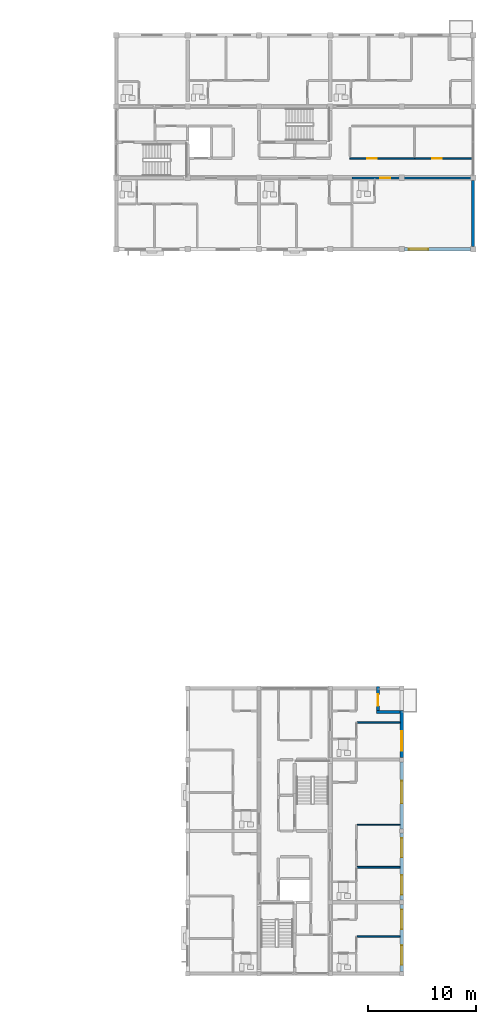
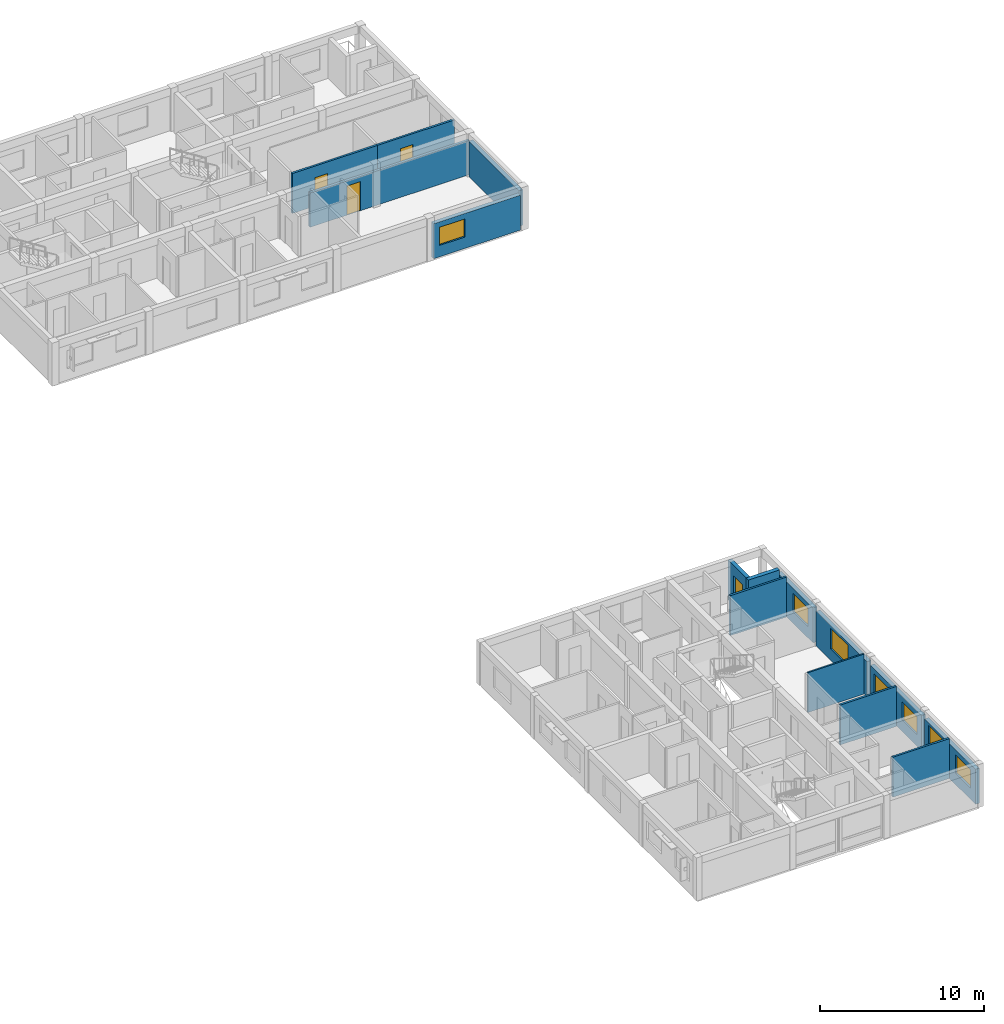
# One storey, part 37 of 49: 15 walls, 7 windows, 4 doors, 11 openings.
"""IFC4 building model written with IfcOpenShell, lengths in metres."""

from ifc_helpers import new_model, si_unit, direction, frame, frame_2d, origin, place, context, subcontext, project, spatial, rectangle, extrude, material, layer, layer_set, type_object, element, fill, save


model = new_model("IFC4")

# Units and contexts
model_context = context("Model", 3, precision=1e-05, world=origin(), true_north=direction((0.0, 1.0)))
body_context = subcontext(model_context, "Body", "Model", "MODEL_VIEW")
ifc_project = project(units=[si_unit("LENGTHUNIT", "METRE"), si_unit("AREAUNIT", "SQUARE_METRE"), si_unit("VOLUMEUNIT", "CUBIC_METRE"), si_unit("PLANEANGLEUNIT", "RADIAN"), si_unit("MASSUNIT", "GRAM", prefix="KILO")], contexts=[model_context])

# Site, building, storey
site_placement = place(None, origin())
site = spatial("IfcSite", under=ifc_project, at=site_placement, CompositionType="ELEMENT")
building_placement = place(site_placement, origin())
building = spatial("IfcBuilding", under=site, at=building_placement, Name="Kernevlak Ridge Housing Community", CompositionType="ELEMENT")
storey_placement = place(building_placement, frame((0.0, 0.0, 30.800048828125)))
storey = spatial("IfcBuildingStorey", under=building, at=storey_placement, Name="L09", CompositionType="ELEMENT", Elevation=30.800048828125)

# Wall, opening, window
ifc_material_1 = material(Name="Concrete block masonry M10", Category="masonry")
ifc_layer_1 = layer(ifc_material_1, 0.280029296875, Name="Concrete block masonry M10")
ifc_layer_set_1 = layer_set([ifc_layer_1], Name="Concrete block masonry M10")
wall_type_1 = type_object("IfcWallType", Name="EW-03", PredefinedType="STANDARD", material=ifc_layer_set_1)
wall_1_placement = place(storey_placement, frame((146.050048828125, 82.60009765625, 0.0), z_axis=(0.0, 0.0, 1.0), x_axis=(1.0, 0.0, 0.0)))
wall_1 = element("IfcWall", 1, at=wall_1_placement, inside=storey, type_object=wall_type_1, Name="Exterior wall EW-03 L09 439", PredefinedType="STANDARD", context=body_context, shape_type="SweptSolid", body=[
    extrude(rectangle(XDim=6.099853515625, YDim=0.280029296875, at=frame_2d((3.0498046875, 0.0))), origin(), (0.0, 0.0, 1.0), 2.599853515625),
])
opening_1_placement = place(wall_1_placement, frame((0.39990234375, 0.0, 0.85009765625)))
opening_1 = element("IfcOpeningElement", 2, at=opening_1_placement, cuts=wall_1, Name="Opening WT-03", PredefinedType="OPENING", context=body_context, shape_type="SweptSolid", body=[
    extrude(rectangle(XDim=1.800048828125, YDim=1.35009765625, at=frame_2d((0.89990234375, 0.675048828125))), frame((0.0, 0.14990234375, 0.0), z_axis=(0.0, -1.0, 0.0), x_axis=(1.0, 0.0, 0.0)), (0.0, 0.0, 1.0), 0.300048828125),
])
ifc_material_2 = material(Name="Aluminium EN AW-6060 anodised and laminated glass", Category="aluminium")
window_type_1 = type_object("IfcWindowType", Name="WT-03", PartitioningType="SINGLE_PANEL", PredefinedType="WINDOW", material=ifc_material_2)
window_1_placement = place(opening_1_placement, origin())
window_1 = element("IfcWindow", 3, at=window_1_placement, inside=storey, type_object=window_type_1, Name="Window WT-03 L09 340", OverallHeight=1.35009765625, OverallWidth=1.800048828125, PartitioningType="SINGLE_PANEL", PredefinedType="WINDOW", context=body_context, shape_type="SweptSolid", body=[
    extrude(rectangle(XDim=1.800048828125, YDim=1.35009765625, at=frame_2d((0.89990234375, 0.675048828125))), frame((0.0, 0.030029296875, 0.0), z_axis=(0.0, -1.0, 0.0), x_axis=(1.0, 0.0, 0.0)), (0.0, 0.0, 1.0), 0.06005859375),
])
fill(opening_1, window_1)

# Wall
wall_2_placement = place(storey_placement, frame((152.39990234375, 82.85009765625, 0.0), z_axis=(0.0, 0.0, 1.0), x_axis=(0.0, 1.0, 0.0)))
element("IfcWall", 4, at=wall_2_placement, inside=storey, type_object=wall_type_1, Name="Exterior wall EW-03 L09 449", PredefinedType="STANDARD", context=body_context, shape_type="SweptSolid", body=[
    extrude(rectangle(XDim=6.099853515625, YDim=0.280029296875, at=frame_2d((3.0498046875, 0.0))), origin(), (0.0, 0.0, 1.0), 2.64990234375),
])

# Wall, openings, windows
wall_3_placement = place(storey_placement, frame((145.800048828125, 15.800048828125, 0.0), z_axis=(0.0, 0.0, 1.0), x_axis=(0.0, 1.0, 0.0)))
wall_3 = element("IfcWall", 5, at=wall_3_placement, inside=storey, type_object=wall_type_1, Name="Exterior wall EW-03 L09 660", PredefinedType="STANDARD", context=body_context, shape_type="SweptSolid", body=[
    extrude(rectangle(XDim=6.199951171875, YDim=0.280029296875, at=frame_2d((3.10009765625, 0.0))), origin(), (0.0, 0.0, 1.0), 2.599853515625),
])
opening_2_placement = place(wall_3_placement, frame((0.625, 0.0, 0.85009765625)))
opening_2 = element("IfcOpeningElement", 6, at=opening_2_placement, cuts=wall_3, Name="Opening WT-03", PredefinedType="OPENING", context=body_context, shape_type="SweptSolid", body=[
    extrude(rectangle(XDim=1.800048828125, YDim=1.35009765625, at=frame_2d((0.89990234375, 0.675048828125))), frame((0.0, 0.14990234375, 0.0), z_axis=(0.0, -1.0, 0.0), x_axis=(1.0, 0.0, 0.0)), (0.0, 0.0, 1.0), 0.300048828125),
])
opening_3_placement = place(wall_3_placement, frame((3.925048828125, 0.0, 0.85009765625)))
opening_3 = element("IfcOpeningElement", 7, at=opening_3_placement, cuts=wall_3, Name="Opening WT-04", PredefinedType="OPENING", context=body_context, shape_type="SweptSolid", body=[
    extrude(rectangle(XDim=1.800048828125, YDim=1.550048828125, at=frame_2d((0.89990234375, 0.77490234375))), frame((0.0, 0.14990234375, 0.0), z_axis=(0.0, -1.0, 0.0), x_axis=(1.0, 0.0, 0.0)), (0.0, 0.0, 1.0), 0.300048828125),
])
window_2_placement = place(opening_2_placement, origin())
window_2 = element("IfcWindow", 8, at=window_2_placement, inside=storey, type_object=window_type_1, Name="Window WT-03 L09 538", OverallHeight=1.35009765625, OverallWidth=1.800048828125, PartitioningType="SINGLE_PANEL", PredefinedType="WINDOW", context=body_context, shape_type="SweptSolid", body=[
    extrude(rectangle(XDim=1.800048828125, YDim=1.35009765625, at=frame_2d((0.89990234375, 0.675048828125))), frame((0.0, 0.030029296875, 0.0), z_axis=(0.0, -1.0, 0.0), x_axis=(1.0, 0.0, 0.0)), (0.0, 0.0, 1.0), 0.06005859375),
])
fill(opening_2, window_2)
window_type_2 = type_object("IfcWindowType", Name="WT-04", PartitioningType="SINGLE_PANEL", PredefinedType="WINDOW", material=ifc_material_2)
window_3_placement = place(opening_3_placement, origin())
window_3 = element("IfcWindow", 9, at=window_3_placement, inside=storey, type_object=window_type_2, Name="Window WT-04 L09 539", OverallHeight=1.550048828125, OverallWidth=1.800048828125, PartitioningType="SINGLE_PANEL", PredefinedType="WINDOW", context=body_context, shape_type="SweptSolid", body=[
    extrude(rectangle(XDim=1.800048828125, YDim=1.550048828125, at=frame_2d((0.89990234375, 0.77490234375))), frame((0.0, 0.030029296875, 0.0), z_axis=(0.0, -1.0, 0.0), x_axis=(1.0, 0.0, 0.0)), (0.0, 0.0, 1.0), 0.06005859375),
])
fill(opening_3, window_3)

wall_4_placement = place(storey_placement, frame((145.800048828125, 22.39990234375, 0.0), z_axis=(0.0, 0.0, 1.0), x_axis=(0.0, 1.0, 0.0)))
wall_4 = element("IfcWall", 10, at=wall_4_placement, inside=storey, type_object=wall_type_1, Name="Exterior wall EW-03 L09 661", PredefinedType="STANDARD", context=body_context, shape_type="SweptSolid", body=[
    extrude(rectangle(XDim=6.2001953125, YDim=0.280029296875, at=frame_2d((3.10009765625, 0.0))), origin(), (0.0, 0.0, 1.0), 2.599853515625),
])
opening_4_placement = place(wall_4_placement, frame((0.52490234375, 0.0, 0.85009765625)))
opening_4 = element("IfcOpeningElement", 11, at=opening_4_placement, cuts=wall_4, Name="Opening WT-03", PredefinedType="OPENING", context=body_context, shape_type="SweptSolid", body=[
    extrude(rectangle(XDim=1.800048828125, YDim=1.35009765625, at=frame_2d((0.89990234375, 0.675048828125))), frame((0.0, 0.14990234375, 0.0), z_axis=(0.0, -1.0, 0.0), x_axis=(1.0, 0.0, 0.0)), (0.0, 0.0, 1.0), 0.300048828125),
])
opening_5_placement = place(wall_4_placement, frame((3.949951171875, 0.0, 0.85009765625)))
opening_5 = element("IfcOpeningElement", 12, at=opening_5_placement, cuts=wall_4, Name="Opening WT-03", PredefinedType="OPENING", context=body_context, shape_type="SweptSolid", body=[
    extrude(rectangle(XDim=1.800048828125, YDim=1.35009765625, at=frame_2d((0.89990234375, 0.675048828125))), frame((0.0, 0.14990234375, 0.0), z_axis=(0.0, -1.0, 0.0), x_axis=(1.0, 0.0, 0.0)), (0.0, 0.0, 1.0), 0.300048828125),
])
window_4_placement = place(opening_4_placement, origin())
window_4 = element("IfcWindow", 13, at=window_4_placement, inside=storey, type_object=window_type_1, Name="Window WT-03 L09 540", OverallHeight=1.35009765625, OverallWidth=1.800048828125, PartitioningType="SINGLE_PANEL", PredefinedType="WINDOW", context=body_context, shape_type="SweptSolid", body=[
    extrude(rectangle(XDim=1.800048828125, YDim=1.35009765625, at=frame_2d((0.89990234375, 0.675048828125))), frame((0.0, 0.030029296875, 0.0), z_axis=(0.0, -1.0, 0.0), x_axis=(1.0, 0.0, 0.0)), (0.0, 0.0, 1.0), 0.06005859375),
])
fill(opening_4, window_4)
window_5_placement = place(opening_5_placement, origin())
window_5 = element("IfcWindow", 14, at=window_5_placement, inside=storey, type_object=window_type_1, Name="Window WT-03 L09 541", OverallHeight=1.35009765625, OverallWidth=1.800048828125, PartitioningType="SINGLE_PANEL", PredefinedType="WINDOW", context=body_context, shape_type="SweptSolid", body=[
    extrude(rectangle(XDim=1.800048828125, YDim=1.35009765625, at=frame_2d((0.89990234375, 0.675048828125))), frame((0.0, 0.030029296875, 0.0), z_axis=(0.0, -1.0, 0.0), x_axis=(1.0, 0.0, 0.0)), (0.0, 0.0, 1.0), 0.06005859375),
])
fill(opening_5, window_5)

# Wall, opening, window
wall_5_placement = place(storey_placement, frame((145.800048828125, 29.0, 0.0), z_axis=(0.0, 0.0, 1.0), x_axis=(0.0, 1.0, 0.0)))
wall_5 = element("IfcWall", 15, at=wall_5_placement, inside=storey, type_object=wall_type_1, Name="Exterior wall EW-03 L09 662", PredefinedType="STANDARD", context=body_context, shape_type="SweptSolid", body=[
    extrude(rectangle(XDim=6.199951171875, YDim=0.280029296875, at=frame_2d((3.10009765625, 0.0))), origin(), (0.0, 0.0, 1.0), 2.599853515625),
])
opening_6_placement = place(wall_5_placement, frame((2.345947265625, 0.0, 0.85009765625)))
opening_6 = element("IfcOpeningElement", 16, at=opening_6_placement, cuts=wall_5, Name="Opening WT-05", PredefinedType="OPENING", context=body_context, shape_type="SweptSolid", body=[
    extrude(rectangle(XDim=2.10009765625, YDim=1.550048828125, at=frame_2d((1.050048828125, 0.77490234375))), frame((0.0, 0.14990234375, 0.0), z_axis=(0.0, -1.0, 0.0), x_axis=(1.0, 0.0, 0.0)), (0.0, 0.0, 1.0), 0.300048828125),
])
window_type_3 = type_object("IfcWindowType", Name="WT-05", PartitioningType="SINGLE_PANEL", PredefinedType="WINDOW", material=ifc_material_2)
window_6_placement = place(opening_6_placement, origin())
window_6 = element("IfcWindow", 17, at=window_6_placement, inside=storey, type_object=window_type_3, Name="Window WT-05 L09 542", OverallHeight=1.550048828125, OverallWidth=2.10009765625, PartitioningType="SINGLE_PANEL", PredefinedType="WINDOW", context=body_context, shape_type="SweptSolid", body=[
    extrude(rectangle(XDim=2.10009765625, YDim=1.550048828125, at=frame_2d((1.050048828125, 0.77490234375))), frame((0.0, 0.030029296875, 0.0), z_axis=(0.0, -1.0, 0.0), x_axis=(1.0, 0.0, 0.0)), (0.0, 0.0, 1.0), 0.06005859375),
])
fill(opening_6, window_6)

wall_6_placement = place(storey_placement, frame((145.800048828125, 35.60009765625, 0.0), z_axis=(0.0, 0.0, 1.0), x_axis=(0.0, 1.0, 0.0)))
wall_6 = element("IfcWall", 18, at=wall_6_placement, inside=storey, type_object=wall_type_1, Name="Exterior wall EW-03 L09 663", PredefinedType="STANDARD", context=body_context, shape_type="SweptSolid", body=[
    extrude(rectangle(XDim=4.33984375, YDim=0.280029296875, at=frame_2d((2.169921875, 0.0))), origin(), (0.0, 0.0, 1.0), 2.599853515625),
])
opening_7_placement = place(wall_6_placement, frame((0.625, 0.0, 0.85009765625)))
opening_7 = element("IfcOpeningElement", 19, at=opening_7_placement, cuts=wall_6, Name="Opening WT-03", PredefinedType="OPENING", context=body_context, shape_type="SweptSolid", body=[
    extrude(rectangle(XDim=1.800048828125, YDim=1.35009765625, at=frame_2d((0.89990234375, 0.675048828125))), frame((0.0, 0.14990234375, 0.0), z_axis=(0.0, -1.0, 0.0), x_axis=(1.0, 0.0, 0.0)), (0.0, 0.0, 1.0), 0.300048828125),
])
window_7_placement = place(opening_7_placement, origin())
window_7 = element("IfcWindow", 20, at=window_7_placement, inside=storey, type_object=window_type_1, Name="Window WT-03 L09 543", OverallHeight=1.35009765625, OverallWidth=1.800048828125, PartitioningType="SINGLE_PANEL", PredefinedType="WINDOW", context=body_context, shape_type="SweptSolid", body=[
    extrude(rectangle(XDim=1.800048828125, YDim=1.35009765625, at=frame_2d((0.89990234375, 0.675048828125))), frame((0.0, 0.030029296875, 0.0), z_axis=(0.0, -1.0, 0.0), x_axis=(1.0, 0.0, 0.0)), (0.0, 0.0, 1.0), 0.06005859375),
])
fill(opening_7, window_7)

# Wall
wall_7_placement = place(storey_placement, frame((145.659912109375, 39.800048828125, 0.0), z_axis=(0.0, 0.0, 1.0), x_axis=(-1.0, 0.0, 0.0)))
element("IfcWall", 21, at=wall_7_placement, inside=storey, type_object=wall_type_1, Name="Exterior wall EW-03 L09 664", PredefinedType="STANDARD", context=body_context, shape_type="SweptSolid", body=[
    extrude(rectangle(XDim=2.199951171875, YDim=0.280029296875, at=frame_2d((1.10009765625, 0.0))), origin(), (0.0, 0.0, 1.0), 2.969970703125),
])

# Wall, opening, door
wall_8_placement = place(storey_placement, frame((143.60009765625, 39.93994140625, 0.0), z_axis=(0.0, 0.0, 1.0), x_axis=(0.0, 1.0, 0.0)))
wall_8 = element("IfcWall", 22, at=wall_8_placement, inside=storey, type_object=wall_type_1, Name="Exterior wall EW-03 L09 665", PredefinedType="STANDARD", context=body_context, shape_type="SweptSolid", body=[
    extrude(rectangle(XDim=2.199951171875, YDim=0.280029296875, at=frame_2d((1.10009765625, 0.0))), origin(), (0.0, 0.0, 1.0), 2.969970703125),
])
opening_8_placement = place(wall_8_placement, frame((0.419921875, 0.0, 0.0)))
opening_8 = element("IfcOpeningElement", 23, at=opening_8_placement, cuts=wall_8, Name="Opening E384", PredefinedType="OPENING", context=body_context, shape_type="SweptSolid", body=[
    extrude(rectangle(XDim=1.080078125, YDim=2.219970703125, at=frame_2d((0.5400390625, 1.10986328125))), frame((0.0, 0.14990234375, 0.0), z_axis=(0.0, -1.0, 0.0), x_axis=(1.0, 0.0, 0.0)), (0.0, 0.0, 1.0), 0.300048828125),
])
ifc_material_3 = material(Name="Aluminium EN AW-6060 and laminated safety glass", Category="aluminium")
door_type_1 = type_object("IfcDoorType", Name="DT-34", OperationType="NOTDEFINED", PredefinedType="DOOR", material=ifc_material_3)
door_1_placement = place(opening_8_placement, origin())
door_1 = element("IfcDoor", 24, at=door_1_placement, inside=storey, type_object=door_type_1, Name="Flat C0923 corner balcony glazed door E384", OperationType="SINGLE_SWING_LEFT", OverallHeight=2.219970703125, OverallWidth=1.080078125, PredefinedType="DOOR", context=body_context, shape_type="SweptSolid", body=[
    extrude(rectangle(XDim=1.080078125, YDim=2.219970703125, at=frame_2d((0.5400390625, 1.10986328125))), frame((0.0, 0.02490234375, 0.0), z_axis=(0.0, -1.0, 0.0), x_axis=(1.0, 0.0, 0.0)), (0.0, 0.0, 1.0), 0.050048828125),
])
fill(opening_8, door_1)

ifc_layer_2 = layer(ifc_material_1, 0.175048828125, Name="Concrete block masonry M10")
ifc_layer_set_2 = layer_set([ifc_layer_2], Name="Concrete block masonry M10")
wall_type_2 = type_object("IfcWallType", Name="PW-02", PredefinedType="PARTITIONING", material=ifc_layer_set_2)
wall_9_placement = place(storey_placement, frame((141.199951171875, 89.199951171875, 0.0), z_axis=(0.0, 0.0, 1.0), x_axis=(1.0, 0.0, 0.0)))
wall_9 = element("IfcWall", 25, at=wall_9_placement, inside=storey, type_object=wall_type_2, Name="Interior wall PW-02 WAL-INT-L09-1740", PredefinedType="PARTITIONING", context=body_context, shape_type="SweptSolid", body=[
    extrude(rectangle(XDim=11.199951171875, YDim=0.175048828125, at=frame_2d((5.60009765625, 0.0))), origin(), (0.0, 0.0, 1.0), 2.550048828125),
])
opening_9_placement = place(wall_9_placement, frame((2.60009765625, 0.0, 0.0)))
opening_9 = element("IfcOpeningElement", 26, at=opening_9_placement, cuts=wall_9, Name="Opening D880", PredefinedType="OPENING", context=body_context, shape_type="SweptSolid", body=[
    extrude(rectangle(XDim=0.949951171875, YDim=2.159912109375, at=frame_2d((0.47509765625, 1.080078125))), frame((0.0, 0.097412109375, 0.0), z_axis=(0.0, -1.0, 0.0), x_axis=(1.0, 0.0, 0.0)), (0.0, 0.0, 1.0), 0.195068359375),
])
ifc_material_4 = material(Name="Hardwood timber solid-core fire leaf", Category="wood")
door_type_2 = type_object("IfcDoorType", Name="DT-02", OperationType="NOTDEFINED", PredefinedType="DOOR", material=ifc_material_4)
door_2_placement = place(opening_9_placement, origin())
door_2 = element("IfcDoor", 27, at=door_2_placement, inside=storey, type_object=door_type_2, Name="Flat B0913 entrance fire door D880", OperationType="SINGLE_SWING_RIGHT", OverallHeight=2.159912109375, OverallWidth=0.949951171875, PredefinedType="DOOR", context=body_context, shape_type="SweptSolid", body=[
    extrude(rectangle(XDim=0.949951171875, YDim=2.159912109375, at=frame_2d((0.47509765625, 1.080078125))), frame((0.0, 0.02490234375, 0.0), z_axis=(0.0, -1.0, 0.0), x_axis=(1.0, 0.0, 0.0)), (0.0, 0.0, 1.0), 0.050048828125),
])
fill(opening_9, door_2)

ifc_layer_3 = layer(ifc_material_1, 0.14501953125, Name="Concrete block masonry M10")
ifc_layer_set_3 = layer_set([ifc_layer_3], Name="Concrete block masonry M10")
wall_type_3 = type_object("IfcWallType", Name="PW-03", PredefinedType="PARTITIONING", material=ifc_layer_set_3)
wall_10_placement = place(storey_placement, frame((141.0, 91.0, 0.0), z_axis=(0.0, 0.0, 1.0), x_axis=(1.0, 0.0, 0.0)))
wall_10 = element("IfcWall", 28, at=wall_10_placement, inside=storey, type_object=wall_type_3, Name="Interior wall PW-03 WAL-INT-L09-1718", PredefinedType="PARTITIONING", context=body_context, shape_type="SweptSolid", body=[
    extrude(rectangle(XDim=6.0, YDim=0.14501953125, at=frame_2d((3.0, 0.0))), origin(), (0.0, 0.0, 1.0), 2.969970703125),
])
opening_10_placement = place(wall_10_placement, frame((1.60009765625, 0.0, 0.0)))
opening_10 = element("IfcOpeningElement", 29, at=opening_10_placement, cuts=wall_10, Name="Opening D869", PredefinedType="OPENING", context=body_context, shape_type="SweptSolid", body=[
    extrude(rectangle(XDim=0.8798828125, YDim=2.10009765625, at=frame_2d((0.43994140625, 1.050048828125))), frame((0.0, 0.08251953125, 0.0), z_axis=(0.0, -1.0, 0.0), x_axis=(1.0, 0.0, 0.0)), (0.0, 0.0, 1.0), 0.1650390625),
])
ifc_material_5 = material(Name="Hardwood timber leaf", Category="wood")
door_type_3 = type_object("IfcDoorType", Name="DT-25", OperationType="NOTDEFINED", PredefinedType="DOOR", material=ifc_material_5)
door_3_placement = place(opening_10_placement, origin())
door_3 = element("IfcDoor", 30, at=door_3_placement, inside=storey, type_object=door_type_3, Name="Block B Laundry room door D869", OperationType="SINGLE_SWING_LEFT", OverallHeight=2.10009765625, OverallWidth=0.8798828125, PredefinedType="DOOR", context=body_context, shape_type="SweptSolid", body=[
    extrude(rectangle(XDim=0.8798828125, YDim=2.10009765625, at=frame_2d((0.43994140625, 1.050048828125))), frame((0.0, 0.02490234375, 0.0), z_axis=(0.0, -1.0, 0.0), x_axis=(1.0, 0.0, 0.0)), (0.0, 0.0, 1.0), 0.050048828125),
])
fill(opening_10, door_3)

wall_11_placement = place(storey_placement, frame((147.0, 91.0, 0.0), z_axis=(0.0, 0.0, 1.0), x_axis=(1.0, 0.0, 0.0)))
wall_11 = element("IfcWall", 31, at=wall_11_placement, inside=storey, type_object=wall_type_3, Name="Interior wall PW-03 WAL-INT-L09-1719", PredefinedType="PARTITIONING", context=body_context, shape_type="SweptSolid", body=[
    extrude(rectangle(XDim=5.39990234375, YDim=0.14501953125, at=frame_2d((2.699951171875, 0.0))), origin(), (0.0, 0.0, 1.0), 2.969970703125),
])
opening_11_placement = place(wall_11_placement, frame((1.60009765625, 0.0, 0.0)))
opening_11 = element("IfcOpeningElement", 32, at=opening_11_placement, cuts=wall_11, Name="Opening D870", PredefinedType="OPENING", context=body_context, shape_type="SweptSolid", body=[
    extrude(rectangle(XDim=0.8798828125, YDim=2.159912109375, at=frame_2d((0.43994140625, 1.080078125))), frame((0.0, 0.08251953125, 0.0), z_axis=(0.0, -1.0, 0.0), x_axis=(1.0, 0.0, 0.0)), (0.0, 0.0, 1.0), 0.1650390625),
])
door_type_4 = type_object("IfcDoorType", Name="DT-26", OperationType="NOTDEFINED", PredefinedType="DOOR", material=ifc_material_5)
door_4_placement = place(opening_11_placement, origin())
door_4 = element("IfcDoor", 33, at=door_4_placement, inside=storey, type_object=door_type_4, Name="Block B Study room door D870", OperationType="SINGLE_SWING_RIGHT", OverallHeight=2.159912109375, OverallWidth=0.8798828125, PredefinedType="DOOR", context=body_context, shape_type="SweptSolid", body=[
    extrude(rectangle(XDim=0.8798828125, YDim=2.159912109375, at=frame_2d((0.43994140625, 1.080078125))), frame((0.0, 0.02490234375, 0.0), z_axis=(0.0, -1.0, 0.0), x_axis=(1.0, 0.0, 0.0)), (0.0, 0.0, 1.0), 0.050048828125),
])
fill(opening_11, door_4)

# Walls
wall_12_placement = place(storey_placement, frame((141.679931640625, 19.050048828125, 0.0), z_axis=(0.0, 0.0, 1.0), x_axis=(1.0, 0.0, 0.0)))
element("IfcWall", 34, at=wall_12_placement, inside=storey, type_object=wall_type_3, Name="Interior wall PW-03 WAL-INT-L09-2712", PredefinedType="PARTITIONING", context=body_context, shape_type="SweptSolid", body=[
    extrude(rectangle(XDim=3.969970703125, YDim=0.14501953125, at=frame_2d((1.98486328125, 0.0))), origin(), (0.0, 0.0, 1.0), 2.969970703125),
])
for number, where, z_axis, x_axis, name in (
    (35, (141.6826171875, 25.449951171875, 0.0), (0.0, 0.0, 1.0), (1.0, 0.0, 0.0), "Interior wall PW-03 WAL-INT-L09-2719"),
    (36, (141.6826171875, 38.85009765625, 0.0), (0.0, 0.0, 1.0), (1.0, 0.0, 0.0), "Interior wall PW-03 WAL-INT-L09-2728"),
):
    element("IfcWall", number, at=place(storey_placement, frame(where, z_axis=z_axis, x_axis=x_axis)), inside=storey, type_object=wall_type_3, Name=name, PredefinedType="PARTITIONING", context=body_context, shape_type="SweptSolid", body=[
        extrude(rectangle(XDim=3.96728515625, YDim=0.14501953125, at=frame_2d((1.983642578125, 0.0))), origin(), (0.0, 0.0, 1.0), 2.969970703125),
    ])
ifc_material_6 = material(Name="Gypsum plasterboard EN 520", Category="gypsum")
ifc_layer_4 = layer(ifc_material_6, 0.10498046875, Name="Gypsum plasterboard EN 520")
ifc_layer_set_4 = layer_set([ifc_layer_4], Name="Gypsum plasterboard EN 520")
wall_type_4 = type_object("IfcWallType", Name="PW-06", PredefinedType="PARTITIONING", material=ifc_layer_set_4)
wall_13_placement = place(storey_placement, frame((141.6826171875, 29.39208984375, 0.0), z_axis=(0.0, 0.0, 1.0), x_axis=(1.0, 0.0, 0.0)))
element("IfcWall", 37, at=wall_13_placement, inside=storey, type_object=wall_type_4, Name="Interior wall PW-06 WAL-INT-L09-2721", PredefinedType="PARTITIONING", context=body_context, shape_type="SweptSolid", body=[
    extrude(rectangle(XDim=3.96728515625, YDim=0.10498046875, at=frame_2d((1.983642578125, 0.0))), origin(), (0.0, 0.0, 1.0), 2.969970703125),
])

save(model, "model.ifc")
